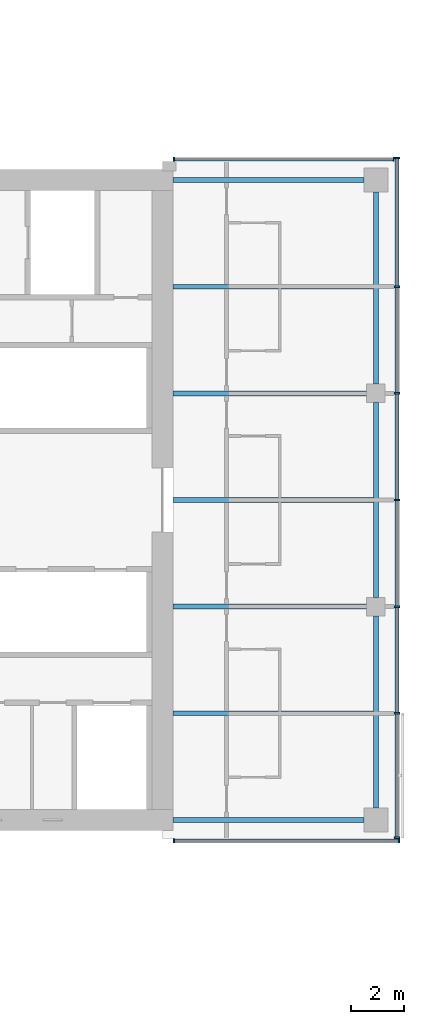
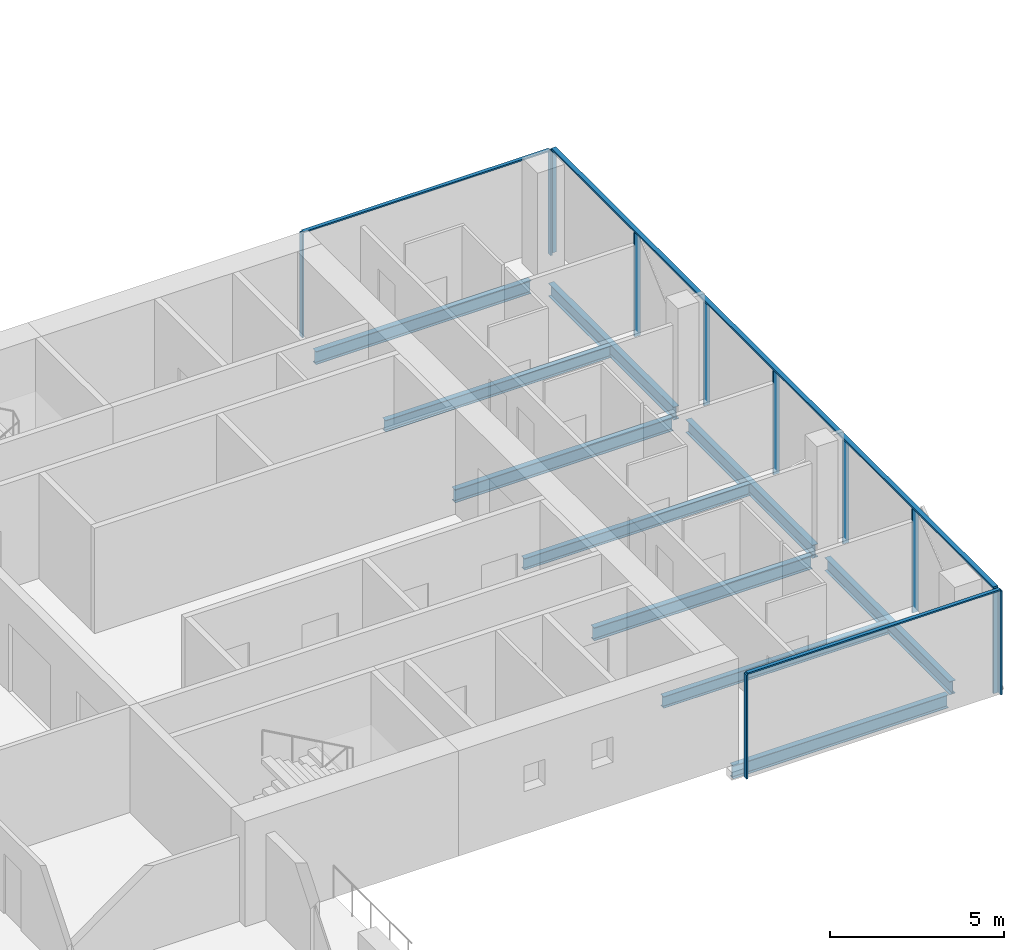
# One storey, part 11 of 29: 14 members, 10 beams, 3 elements without a shape of their own.
"""IFC4 building model written with IfcOpenShell, lengths in metres."""

from ifc_helpers import new_model, si_unit, direction, frame, origin, origin_2d, place, context, subcontext, project, spatial, rectangle, i_section, extrude, material, material_profile, profile_set, type_object, element, aggregate, save


model = new_model("IFC4")

# Units and contexts
model_context = context("Model", 3, precision=1e-05, world=origin(), true_north=direction((0.0, 1.0)))
body_context = subcontext(model_context, "Body", "Model", "MODEL_VIEW")
ifc_project = project(units=[si_unit("LENGTHUNIT", "METRE"), si_unit("AREAUNIT", "SQUARE_METRE"), si_unit("VOLUMEUNIT", "CUBIC_METRE"), si_unit("PLANEANGLEUNIT", "RADIAN"), si_unit("MASSUNIT", "GRAM", prefix="KILO")], contexts=[model_context])

# Site, building, storey
site_placement = place(None, origin())
site = spatial("IfcSite", under=ifc_project, at=site_placement, CompositionType="ELEMENT")
building_placement = place(site_placement, origin())
building = spatial("IfcBuilding", under=site, at=building_placement, Name="Crosswind Convention Tower", CompositionType="ELEMENT")
storey_placement = place(building_placement, frame((0.0, 0.0, 53.5)))
storey = spatial("IfcBuildingStorey", under=building, at=storey_placement, Name="L07", CompositionType="ELEMENT", Elevation=53.5)

# Beams
ifc_material_1 = material(Name="Steel S355", Category="steel")
ifc_material_profile_1 = material_profile(ifc_material_1, i_section(OverallWidth=0.1904296875, OverallDepth=0.457275390625, WebThickness=0.009033203125, FlangeThickness=0.014404296875, FilletRadius=0.01025390625, at=origin_2d()), Name="UB 457x191x75")
ifc_profile_set_1 = profile_set([ifc_material_profile_1], Name="Steel S355")
beam_type_1 = type_object("IfcBeamType", Name="Edge beam UB 457x191x75", PredefinedType="SPANDREL", material=ifc_profile_set_1)
for number, where, z_axis, x_axis, name in (
    (1, (153.39990234375, 88.0, -0.508544921875), (1.0, 0.0, 0.0), (0.0, 1.0, 0.0), "B17 L07 edge beam 24"),
    (2, (153.39990234375, 112.0, -0.508544921875), (1.0, 0.0, 0.0), (0.0, 1.0, 0.0), "B17 L07 edge beam 25"),
):
    element("IfcBeam", number, at=place(storey_placement, frame(where, z_axis=z_axis, x_axis=x_axis)), inside=storey, type_object=beam_type_1, Name=name, PredefinedType="SPANDREL", context=body_context, shape_type="SweptSolid", body=[
        extrude(i_section(OverallWidth=0.1904296875, OverallDepth=0.457275390625, WebThickness=0.009033203125, FlangeThickness=0.014404296875, FilletRadius=0.01025390625, at=origin_2d()), origin(), (0.0, 0.0, 1.0), 7.150146484375),
    ])
beam_1_placement = place(storey_placement, frame((161.0, 88.449951171875, -0.508544921875), z_axis=(0.0, 1.0, 0.0), x_axis=(-1.0, 0.0, 0.0)))
element("IfcBeam", 3, at=beam_1_placement, inside=storey, type_object=beam_type_1, Name="B17 L07 edge beam 26", PredefinedType="SPANDREL", context=body_context, shape_type="SweptSolid", body=[
    extrude(i_section(OverallWidth=0.1904296875, OverallDepth=0.457275390625, WebThickness=0.009033203125, FlangeThickness=0.014404296875, FilletRadius=0.01025390625, at=origin_2d()), origin(), (0.0, 0.0, 1.0), 7.199951171875),
])
beam_2_placement = place(storey_placement, frame((161.0, 96.35009765625, -0.508544921875), z_axis=(0.0, 1.0, 0.0), x_axis=(-1.0, 0.0, 0.0)))
element("IfcBeam", 4, at=beam_2_placement, inside=storey, type_object=beam_type_1, Name="B17 L07 edge beam 27", PredefinedType="SPANDREL", context=body_context, shape_type="SweptSolid", body=[
    extrude(i_section(OverallWidth=0.1904296875, OverallDepth=0.457275390625, WebThickness=0.009033203125, FlangeThickness=0.014404296875, FilletRadius=0.01025390625, at=origin_2d()), origin(), (0.0, 0.0, 1.0), 7.2998046875),
])
beam_3_placement = place(storey_placement, frame((161.0, 104.35009765625, -0.508544921875), z_axis=(0.0, 1.0, 0.0), x_axis=(-1.0, 0.0, 0.0)))
element("IfcBeam", 5, at=beam_3_placement, inside=storey, type_object=beam_type_1, Name="B17 L07 edge beam 28", PredefinedType="SPANDREL", context=body_context, shape_type="SweptSolid", body=[
    extrude(i_section(OverallWidth=0.1904296875, OverallDepth=0.457275390625, WebThickness=0.009033203125, FlangeThickness=0.014404296875, FilletRadius=0.01025390625, at=origin_2d()), origin(), (0.0, 0.0, 1.0), 7.199951171875),
])
ifc_material_profile_2 = material_profile(ifc_material_1, i_section(OverallWidth=0.19189453125, OverallDepth=0.463623046875, WebThickness=0.010498046875, FlangeThickness=0.017578125, FilletRadius=0.01025390625, at=origin_2d()), Name="UB 457x191x90")
ifc_profile_set_2 = profile_set([ifc_material_profile_2], Name="Steel S355")
beam_type_2 = type_object("IfcBeamType", Name="Girder at core wall UB 457x191x90", PredefinedType="BEAM", material=ifc_profile_set_2)
for number, where, z_axis, x_axis, name in (
    (6, (153.39990234375, 96.0, -0.51171875), (1.0, 0.0, 0.0), (0.0, 1.0, 0.0), "B24 L07 girder at core wall 11"),
    (7, (153.39990234375, 104.0, -0.51171875), (1.0, 0.0, 0.0), (0.0, 1.0, 0.0), "B24 L07 girder at core wall 12"),
):
    element("IfcBeam", number, at=place(storey_placement, frame(where, z_axis=z_axis, x_axis=x_axis)), inside=storey, type_object=beam_type_2, Name=name, PredefinedType="BEAM", context=body_context, shape_type="SweptSolid", body=[
        extrude(i_section(OverallWidth=0.19189453125, OverallDepth=0.463623046875, WebThickness=0.010498046875, FlangeThickness=0.017578125, FilletRadius=0.01025390625, at=origin_2d()), origin(), (0.0, 0.0, 1.0), 7.25),
    ])

# Curtain wall, members
ifc_material_2 = material(Name="Aluminium unitised curtain wall", Category="aluminium")
curtain_wall_type_1 = type_object("IfcCurtainWallType", Name="CORE END SLOT WALL 160", PredefinedType="USERDEFINED", material=ifc_material_2)
curtain_wall_1_placement = place(storey_placement, origin())
curtain_wall_1 = element("IfcCurtainWall", 8, at=curtain_wall_1_placement, inside=storey, type_object=curtain_wall_type_1, Name="CW6 L07 E-N.1-1 slot", ObjectType="UNITISED", PredefinedType="USERDEFINED")
ifc_material_3 = material(Name="Aluminium mullion", Category="aluminium")
ifc_material_profile_3 = material_profile(ifc_material_3, rectangle(XDim=0.159912109375, YDim=0.050048828125, at=origin_2d()), Name="AL 160X50")
ifc_profile_set_3 = profile_set([ifc_material_profile_3], Name="Aluminium mullion")
member_type_1 = type_object("IfcMemberType", Name="MULLION 50X160", PredefinedType="MULLION", material=ifc_profile_set_3)
member_1_placement = place(storey_placement, frame((161.675048828125, 112.780029296875, -0.280029296875), z_axis=(0.0, 0.0, 1.0), x_axis=(0.0, 1.0, 0.0)))
member_1 = element("IfcMember", 9, at=member_1_placement, type_object=member_type_1, Name="CW6 mullion 1", PredefinedType="MULLION", context=body_context, shape_type="SweptSolid", body=[
    extrude(rectangle(XDim=0.159912109375, YDim=0.050048828125, at=origin_2d()), origin(), (0.0, 0.0, 1.0), 3.650146484375),
])
member_2_placement = place(storey_placement, frame((153.425048828125, 112.780029296875, -0.280029296875), z_axis=(0.0, 0.0, 1.0), x_axis=(0.0, 1.0, 0.0)))
member_2 = element("IfcMember", 10, at=member_2_placement, type_object=member_type_1, Name="CW6 mullion 2", PredefinedType="MULLION", context=body_context, shape_type="SweptSolid", body=[
    extrude(rectangle(XDim=0.159912109375, YDim=0.050048828125, at=origin_2d()), origin(), (0.0, 0.0, 1.0), 3.650146484375),
])

curtain_wall_2_placement = place(storey_placement, origin())
curtain_wall_2 = element("IfcCurtainWall", 11, at=curtain_wall_2_placement, inside=storey, type_object=curtain_wall_type_1, Name="CW6 L07 E-S.2-1 slot", ObjectType="UNITISED", PredefinedType="USERDEFINED")
member_3_placement = place(storey_placement, frame((153.425048828125, 87.219970703125, -0.280029296875), z_axis=(0.0, 0.0, 1.0), x_axis=(0.0, -1.0, 0.0)))
member_3 = element("IfcMember", 12, at=member_3_placement, type_object=member_type_1, Name="CW6 mullion 1", PredefinedType="MULLION", context=body_context, shape_type="SweptSolid", body=[
    extrude(rectangle(XDim=0.159912109375, YDim=0.050048828125, at=origin_2d()), origin(), (0.0, 0.0, 1.0), 3.650146484375),
])
member_4_placement = place(storey_placement, frame((161.875, 87.219970703125, -0.280029296875), z_axis=(0.0, 0.0, 1.0), x_axis=(0.0, -1.0, 0.0)))
member_4 = element("IfcMember", 13, at=member_4_placement, type_object=member_type_1, Name="CW6 mullion 2", PredefinedType="MULLION", context=body_context, shape_type="SweptSolid", body=[
    extrude(rectangle(XDim=0.159912109375, YDim=0.050048828125, at=origin_2d()), origin(), (0.0, 0.0, 1.0), 3.650146484375),
])

curtain_wall_type_2 = type_object("IfcCurtainWallType", Name="HOTEL UNITISED WALL 200", PredefinedType="USERDEFINED", material=ifc_material_2)
curtain_wall_3_placement = place(storey_placement, origin())
curtain_wall_3 = element("IfcCurtainWall", 14, at=curtain_wall_3_placement, inside=storey, type_object=curtain_wall_type_2, Name="CW2 L07 E-TIP 1", ObjectType="UNITISED", PredefinedType="USERDEFINED")
ifc_material_profile_4 = material_profile(ifc_material_3, rectangle(XDim=0.199951171875, YDim=0.06494140625, at=origin_2d()), Name="AL 200X65")
ifc_profile_set_4 = profile_set([ifc_material_profile_4], Name="Aluminium mullion")
member_type_2 = type_object("IfcMemberType", Name="MULLION 65X200", PredefinedType="MULLION", material=ifc_profile_set_4)
member_5_placement = place(storey_placement, frame((161.800048828125, 87.33251953125, -0.280029296875), z_axis=(0.0, 0.0, 1.0), x_axis=(1.0, 0.0, 0.0)))
member_5 = element("IfcMember", 15, at=member_5_placement, type_object=member_type_2, Name="CW2 mullion 1", PredefinedType="MULLION", context=body_context, shape_type="SweptSolid", body=[
    extrude(rectangle(XDim=0.199951171875, YDim=0.06494140625, at=origin_2d()), origin(), (0.0, 0.0, 1.0), 3.635009765625),
])
member_6_placement = place(storey_placement, frame((161.800048828125, 92.0, -0.280029296875), z_axis=(0.0, 0.0, 1.0), x_axis=(1.0, 0.0, 0.0)))
member_6 = element("IfcMember", 16, at=member_6_placement, type_object=member_type_2, Name="CW2 mullion 2", PredefinedType="MULLION", context=body_context, shape_type="SweptSolid", body=[
    extrude(rectangle(XDim=0.199951171875, YDim=0.06494140625, at=origin_2d()), origin(), (0.0, 0.0, 1.0), 3.635009765625),
])
member_7_placement = place(storey_placement, frame((161.800048828125, 96.0, -0.280029296875), z_axis=(0.0, 0.0, 1.0), x_axis=(1.0, 0.0, 0.0)))
member_7 = element("IfcMember", 17, at=member_7_placement, type_object=member_type_2, Name="CW2 mullion 3", PredefinedType="MULLION", context=body_context, shape_type="SweptSolid", body=[
    extrude(rectangle(XDim=0.199951171875, YDim=0.06494140625, at=origin_2d()), origin(), (0.0, 0.0, 1.0), 3.635009765625),
])
member_8_placement = place(storey_placement, frame((161.800048828125, 100.0, -0.280029296875), z_axis=(0.0, 0.0, 1.0), x_axis=(1.0, 0.0, 0.0)))
member_8 = element("IfcMember", 18, at=member_8_placement, type_object=member_type_2, Name="CW2 mullion 4", PredefinedType="MULLION", context=body_context, shape_type="SweptSolid", body=[
    extrude(rectangle(XDim=0.199951171875, YDim=0.06494140625, at=origin_2d()), origin(), (0.0, 0.0, 1.0), 3.635009765625),
])
member_9_placement = place(storey_placement, frame((161.800048828125, 104.0, -0.280029296875), z_axis=(0.0, 0.0, 1.0), x_axis=(1.0, 0.0, 0.0)))
member_9 = element("IfcMember", 19, at=member_9_placement, type_object=member_type_2, Name="CW2 mullion 5", PredefinedType="MULLION", context=body_context, shape_type="SweptSolid", body=[
    extrude(rectangle(XDim=0.199951171875, YDim=0.06494140625, at=origin_2d()), origin(), (0.0, 0.0, 1.0), 3.635009765625),
])
member_10_placement = place(storey_placement, frame((161.800048828125, 108.0, -0.280029296875), z_axis=(0.0, 0.0, 1.0), x_axis=(1.0, 0.0, 0.0)))
member_10 = element("IfcMember", 20, at=member_10_placement, type_object=member_type_2, Name="CW2 mullion 6", PredefinedType="MULLION", context=body_context, shape_type="SweptSolid", body=[
    extrude(rectangle(XDim=0.199951171875, YDim=0.06494140625, at=origin_2d()), origin(), (0.0, 0.0, 1.0), 3.635009765625),
])
member_11_placement = place(storey_placement, frame((161.800048828125, 112.827392578125, -0.280029296875), z_axis=(0.0, 0.0, 1.0), x_axis=(1.0, 0.0, 0.0)))
member_11 = element("IfcMember", 21, at=member_11_placement, type_object=member_type_2, Name="CW2 mullion 7", PredefinedType="MULLION", context=body_context, shape_type="SweptSolid", body=[
    extrude(rectangle(XDim=0.199951171875, YDim=0.06494140625, at=origin_2d()), origin(), (0.0, 0.0, 1.0), 3.635009765625),
])

# Beams
ifc_material_profile_5 = material_profile(ifc_material_1, i_section(OverallWidth=0.177734375, OverallDepth=0.406494140625, WebThickness=0.0078125, FlangeThickness=0.0126953125, FilletRadius=0.01025390625, at=origin_2d()), Name="UB 406x178x60")
ifc_profile_set_5 = profile_set([ifc_material_profile_5], Name="Steel S355")
beam_type_3 = type_object("IfcBeamType", Name="Secondary beam UB 406x178x60", PredefinedType="JOIST", material=ifc_profile_set_5)
for number, where, z_axis, x_axis, name in (
    (22, (153.39990234375, 92.0, -0.483154296875), (1.0, 0.0, 0.0), (0.0, 1.0, 0.0), "B10 L07 secondary beam 31"),
    (23, (153.39990234375, 100.0, -0.483154296875), (1.0, 0.0, 0.0), (0.0, 1.0, 0.0), "B10 L07 secondary beam 32"),
    (24, (153.39990234375, 108.0, -0.483154296875), (1.0, 0.0, 0.0), (0.0, 1.0, 0.0), "B10 L07 secondary beam 33"),
):
    element("IfcBeam", number, at=place(storey_placement, frame(where, z_axis=z_axis, x_axis=x_axis)), inside=storey, type_object=beam_type_3, Name=name, PredefinedType="JOIST", context=body_context, shape_type="SweptSolid", body=[
        extrude(i_section(OverallWidth=0.177734375, OverallDepth=0.406494140625, WebThickness=0.0078125, FlangeThickness=0.0126953125, FilletRadius=0.01025390625, at=origin_2d()), origin(), (0.0, 0.0, 1.0), 7.5048828125),
    ])

# Member
ifc_material_4 = material(Name="Aluminium transom", Category="aluminium")
ifc_material_profile_6 = material_profile(ifc_material_4, rectangle(XDim=0.1201171875, YDim=0.050048828125, at=origin_2d()), Name="AL 120X50")
ifc_profile_set_6 = profile_set([ifc_material_profile_6], Name="Aluminium transom")
member_type_3 = type_object("IfcMemberType", Name="TRANSOM 50X120", PredefinedType="USERDEFINED", material=ifc_profile_set_6)
member_12_placement = place(storey_placement, frame((161.64990234375, 112.780029296875, 3.39501953125), z_axis=(-1.0, 0.0, 0.0), x_axis=(0.0, -1.0, 0.0)))
member_12 = element("IfcMember", 25, at=member_12_placement, type_object=member_type_3, Name="CW6 transom", ObjectType="TRANSOM", PredefinedType="USERDEFINED", context=body_context, shape_type="SweptSolid", body=[
    extrude(rectangle(XDim=0.1201171875, YDim=0.050048828125, at=origin_2d()), origin(), (0.0, 0.0, 1.0), 8.199951171875),
])

aggregate(curtain_wall_1, [member_1, member_2, member_12])

member_13_placement = place(storey_placement, frame((153.449951171875, 87.219970703125, 3.39501953125), z_axis=(1.0, 0.0, 0.0), x_axis=(0.0, 1.0, 0.0)))
member_13 = element("IfcMember", 26, at=member_13_placement, type_object=member_type_3, Name="CW6 transom", ObjectType="TRANSOM", PredefinedType="USERDEFINED", context=body_context, shape_type="SweptSolid", body=[
    extrude(rectangle(XDim=0.1201171875, YDim=0.050048828125, at=origin_2d()), origin(), (0.0, 0.0, 1.0), 8.400146484375),
])

aggregate(curtain_wall_2, [member_3, member_4, member_13])

ifc_material_profile_7 = material_profile(ifc_material_4, rectangle(XDim=0.14990234375, YDim=0.06494140625, at=origin_2d()), Name="AL 150X65")
ifc_profile_set_7 = profile_set([ifc_material_profile_7], Name="Aluminium transom")
member_type_4 = type_object("IfcMemberType", Name="TRANSOM 65X150", PredefinedType="USERDEFINED", material=ifc_profile_set_7)
member_14_placement = place(storey_placement, frame((161.800048828125, 87.364990234375, 3.387451171875), z_axis=(0.0, 1.0, 0.0), x_axis=(-1.0, 0.0, 0.0)))
member_14 = element("IfcMember", 27, at=member_14_placement, type_object=member_type_4, Name="CW2 transom", ObjectType="TRANSOM", PredefinedType="USERDEFINED", context=body_context, shape_type="SweptSolid", body=[
    extrude(rectangle(XDim=0.14990234375, YDim=0.06494140625, at=origin_2d()), origin(), (0.0, 0.0, 1.0), 25.429931640625),
])

aggregate(curtain_wall_3, [member_5, member_6, member_7, member_8, member_9, member_10, member_11, member_14])

save(model, "model.ifc")
